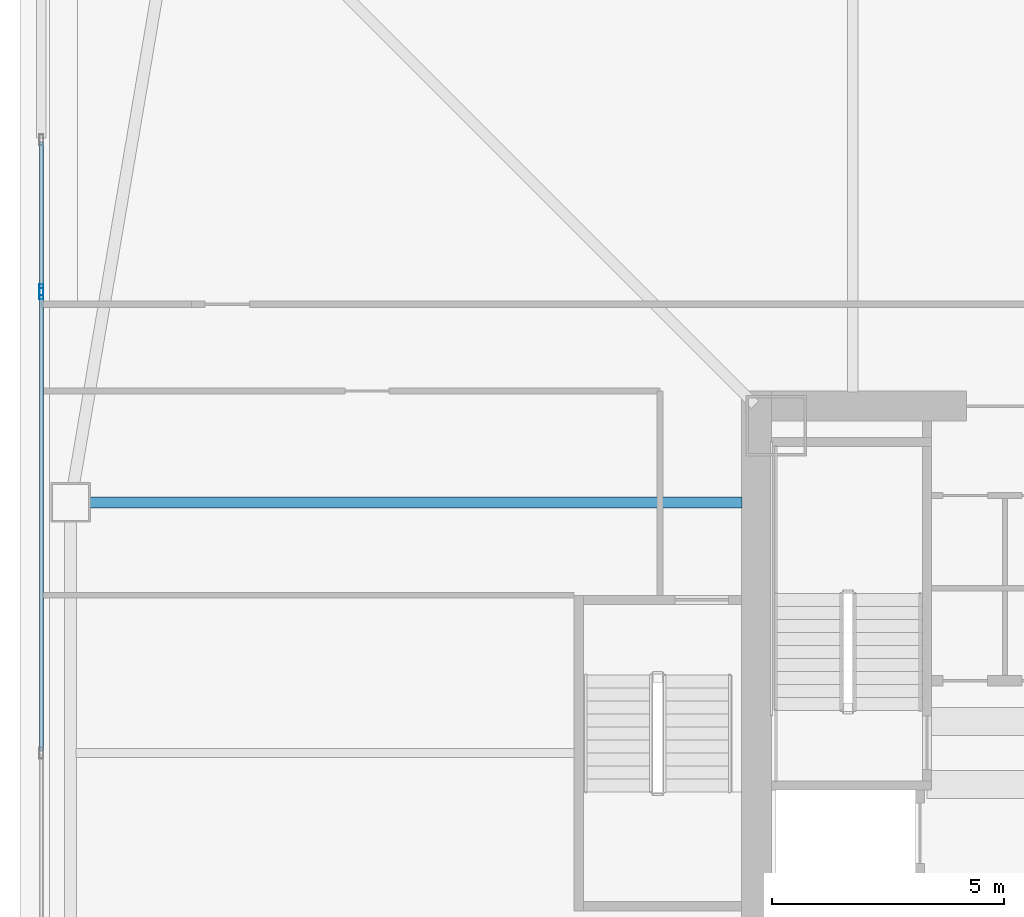
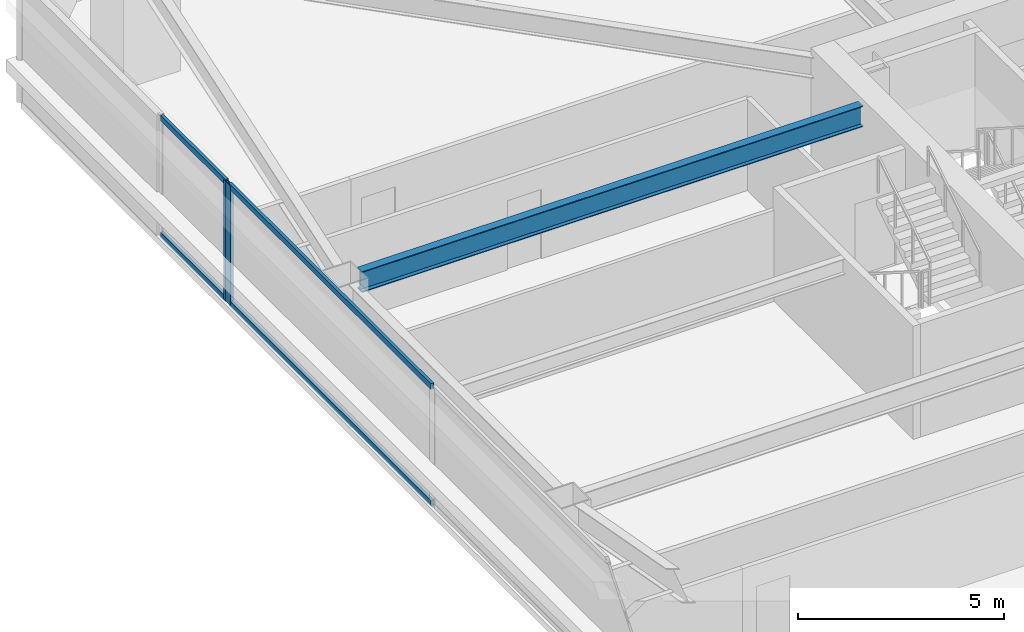
# One storey, part 12 of 46: 6 members, 1 beam, 2 elements without a shape of their own.
"""IFC4 building model written with IfcOpenShell, lengths in metres."""

import ifcopenshell
import ifcopenshell.guid

model = None  # the IFC model being written
_history = None  # IfcOwnerHistory: only IFC2X3 demands one
_inside = {}  # id of a spatial element -> (the spatial element, [elements in it])
_under = {}  # id of a project, library or spatial element -> (it, [spatial elements below it])
_declared = {}  # id of a project -> (the project, [libraries it declares])
_typed = {}  # id of a type object -> (the type object, [elements of that type])
_made_of = {}  # id of a material, layer set ... -> (it, [elements and type objects made of it])


def new_model(schema):
    """Start an empty IFC model of exactly this schema.

    Asked for "IFC4X3", IfcOpenShell would pick the latest addendum, in which some entities
    have other attributes; the version numbers below select the first issue.
    IFC2X3 requires an IfcOwnerHistory on every rooted entity: one is made here for all.
    """
    global model, _history
    if schema == "IFC4X3":
        model = ifcopenshell.file(schema_version=(4, 3, 0, 0))
    else:
        model = ifcopenshell.file(schema=schema)
    _inside.clear()
    _under.clear()
    _declared.clear()
    _typed.clear()
    _made_of.clear()
    _history = None
    if model.schema == "IFC2X3":
        org = make("IfcOrganization", Name="unknown")
        user = make(
            "IfcPersonAndOrganization",
            ThePerson=make("IfcPerson", FamilyName="unknown"),
            TheOrganization=org,
        )
        app = make(
            "IfcApplication",
            ApplicationDeveloper=org,
            Version="unknown",
            ApplicationFullName="unknown",
            ApplicationIdentifier="unknown",
        )
        _history = make(
            "IfcOwnerHistory",
            OwningUser=user,
            OwningApplication=app,
            ChangeAction="ADDED",
            CreationDate=0,
        )
    return model


def make(cls, **values):
    """One entity of the class cls with the attributes given. An attribute that is None is left unset."""
    return model.create_entity(
        cls, **{name: value for name, value in values.items() if value is not None}
    )


def rooted(cls, **values):
    """An entity with a GlobalId (a new one), such as an element, a storey or a relation."""
    return make(cls, GlobalId=ifcopenshell.guid.new(), OwnerHistory=_history, **values)


def si_unit(unit_type, name, prefix=None):
    """IfcSIUnit, for example si_unit("LENGTHUNIT", "METRE", prefix="MILLI")."""
    return make("IfcSIUnit", UnitType=unit_type, Prefix=prefix, Name=name)


def assignment(units):
    """IfcUnitAssignment: the units of a project."""
    return None if units is None else make("IfcUnitAssignment", Units=units)


def point(xyz):
    """IfcCartesianPoint."""
    return None if xyz is None else make("IfcCartesianPoint", Coordinates=xyz)


def direction(xyz):
    """IfcDirection."""
    return None if xyz is None else make("IfcDirection", DirectionRatios=xyz)


def frame(location, z_axis=None, x_axis=None):
    """IfcAxis2Placement3D, a coordinate frame: its origin and axes. An axis left out is left unset."""
    return make(
        "IfcAxis2Placement3D",
        Location=point(location),
        Axis=direction(z_axis),
        RefDirection=direction(x_axis),
    )


def frame_2d(location, x_axis=None):
    """IfcAxis2Placement2D, a coordinate frame in the plane: its origin and x axis."""
    return make(
        "IfcAxis2Placement2D", Location=point(location), RefDirection=direction(x_axis)
    )


def origin():
    """The frame at (0, 0, 0) with its axes left unset."""
    return frame((0.0, 0.0, 0.0))


def origin_2d():
    """The frame at (0, 0) in the plane with its x axis left unset."""
    return frame_2d((0.0, 0.0))


def place(relative_to, where):
    """IfcLocalPlacement: puts the frame where relative to a parent placement (None: the world)."""
    return make(
        "IfcLocalPlacement", PlacementRelTo=relative_to, RelativePlacement=where
    )


def context(
    kind, dimensions, precision=None, world=None, true_north=None, identifier=None
):
    """IfcGeometricRepresentationContext, for example the 3D "Model" context."""
    return make(
        "IfcGeometricRepresentationContext",
        ContextIdentifier=identifier,
        ContextType=kind,
        CoordinateSpaceDimension=dimensions,
        Precision=precision,
        WorldCoordinateSystem=world,
        TrueNorth=true_north,
    )


def subcontext(parent, identifier, kind, view, scale=None):
    """IfcGeometricRepresentationSubContext, for example "Body" below "Model"."""
    return make(
        "IfcGeometricRepresentationSubContext",
        ContextIdentifier=identifier,
        ContextType=kind,
        ParentContext=parent,
        TargetScale=scale,
        TargetView=view,
    )


def project(units=None, contexts=None):
    """IfcProject with its units and contexts."""
    return rooted(
        "IfcProject",
        Name="project",
        RepresentationContexts=contexts,
        UnitsInContext=assignment(units),
    )


def spatial(cls, under=None, at=None, **own):
    """A site, building, storey or space (cls), placed at a placement, below another one or the project."""
    s = rooted(cls, ObjectPlacement=at, **own)
    if under is not None:
        _under.setdefault(under.id(), (under, []))[1].append(s)
    return s


def profile(cls, at=None, kind="AREA", **sizes):
    """A parametric profile (cls). Its sizes go by their IFC names, for example OverallWidth=200.0."""
    return make(cls, ProfileType=kind, Position=at, **sizes)


def hollow_rectangle(**sizes):
    """IfcRectangleHollowProfileDef."""
    return profile("IfcRectangleHollowProfileDef", **sizes)


def i_section(**sizes):
    """IfcIShapeProfileDef."""
    return profile("IfcIShapeProfileDef", **sizes)


def extrude(swept, where, along, depth):
    """IfcExtrudedAreaSolid: the profile swept, set in the frame where, extruded along a direction by depth."""
    return make(
        "IfcExtrudedAreaSolid",
        SweptArea=swept,
        Position=where,
        ExtrudedDirection=direction(along),
        Depth=depth,
    )


def shape(context_of_items, identifier, shape_type, items):
    """IfcShapeRepresentation: the items that make up one representation, for example the "Body"."""
    return make(
        "IfcShapeRepresentation",
        ContextOfItems=context_of_items,
        RepresentationIdentifier=identifier,
        RepresentationType=shape_type,
        Items=items,
    )


def material(Name=None, Category=None):
    """IfcMaterial."""
    return make("IfcMaterial", Name=Name, Category=Category)


def material_profile(
    of_material, cross_section, Name=None, Category=None, Priority=None
):
    """IfcMaterialProfile: a cross section and its material."""
    return make(
        "IfcMaterialProfile",
        Name=Name,
        Material=of_material,
        Profile=cross_section,
        Priority=Priority,
        Category=Category,
    )


def profile_set(profiles, Name=None, composite=None):
    """IfcMaterialProfileSet."""
    return make(
        "IfcMaterialProfileSet",
        Name=Name,
        MaterialProfiles=profiles,
        CompositeProfile=composite,
    )


def made_of(thing, what):
    """Note that an element or type object is made of a material, layer set ...; save() writes the relation."""
    if what is not None:
        _made_of.setdefault(what.id(), (what, []))[1].append(thing)
    return thing


def type_object(cls, material=None, **own):
    """A type object (cls), such as IfcWallType, which elements share."""
    return made_of(rooted(cls, **own), material)


def element(
    cls,
    number,
    at=None,
    inside=None,
    cuts=None,
    type_object=None,
    material=None,
    context=None,
    identifier="Body",
    shape_type=None,
    held_by="IfcProductDefinitionShape",
    body=None,
    shapes=None,
    **own,
):
    """One element of the class cls, such as IfcWall. Its Tag is "e" and its number.

    at: its placement. inside: the storey or other place that contains it. cuts: it is an
    opening in that element (IfcRelVoidsElement). A single representation is given by context,
    identifier, shape_type and body (its items); several are given by shapes. held_by: the class
    of the entity that holds the representations. save() writes the other relations.
    """
    e = rooted(cls, Tag="e%d" % number, ObjectPlacement=at, **own)
    if body is not None:
        shapes = [shape(context, identifier, shape_type, body)]
    if shapes is not None:
        e.Representation = make(held_by, Representations=shapes)
    if inside is not None:
        _inside.setdefault(inside.id(), (inside, []))[1].append(e)
    if cuts is not None:
        rooted(
            "IfcRelVoidsElement", RelatingBuildingElement=cuts, RelatedOpeningElement=e
        )
    if type_object is not None:
        _typed.setdefault(type_object.id(), (type_object, []))[1].append(e)
    return made_of(e, material)


def aggregate(whole, parts):
    """IfcRelAggregates: a whole, such as a stair, and the parts it consists of."""
    return rooted("IfcRelAggregates", RelatingObject=whole, RelatedObjects=parts)


def save(model, path):
    """Write the relations noted so far, then the file.

    IfcRelAggregates (storeys below a building ...), IfcRelContainedInSpatialStructure (elements
    in a storey), IfcRelDefinesByType, IfcRelAssociatesMaterial and IfcRelDeclares: one each for
    every whole, place, type object, material and project.
    """
    for whole, parts in _under.values():
        aggregate(whole, parts)
    for where, things in _inside.values():
        rooted(
            "IfcRelContainedInSpatialStructure",
            RelatedElements=things,
            RelatingStructure=where,
        )
    for kind, things in _typed.values():
        rooted("IfcRelDefinesByType", RelatedObjects=things, RelatingType=kind)
    for what, things in _made_of.values():
        rooted("IfcRelAssociatesMaterial", RelatedObjects=things, RelatingMaterial=what)
    for by, libraries in _declared.values():
        rooted("IfcRelDeclares", RelatingContext=by, RelatedDefinitions=libraries)
    model.write(path)


model = new_model("IFC4")

# Units and contexts
model_context = context("Model", 3, precision=1e-05, world=origin(), true_north=direction((0.0, 1.0)))
body_context = subcontext(model_context, "Body", "Model", "MODEL_VIEW")
ifc_project = project(units=[si_unit("LENGTHUNIT", "METRE"), si_unit("AREAUNIT", "SQUARE_METRE"), si_unit("VOLUMEUNIT", "CUBIC_METRE"), si_unit("PLANEANGLEUNIT", "RADIAN"), si_unit("MASSUNIT", "GRAM", prefix="KILO")], contexts=[model_context])

# Site, building, storey
site_placement = place(None, origin())
site = spatial("IfcSite", under=ifc_project, at=site_placement, CompositionType="ELEMENT")
building_placement = place(site_placement, origin())
building = spatial("IfcBuilding", under=site, at=building_placement, Name="Tashvorn Skyway Center", CompositionType="ELEMENT")
storey_placement = place(building_placement, frame((0.0, 0.0, 60.10009765625)))
storey = spatial("IfcBuildingStorey", under=building, at=storey_placement, Name="L15", CompositionType="ELEMENT", Elevation=60.10009765625)

# Beam
ifc_material_1 = material(Name="Steel ASTM A992 Grade 50", Category="steel")
ifc_material_profile_1 = material_profile(ifc_material_1, i_section(OverallWidth=0.22998046875, OverallDepth=0.616943359375, WebThickness=0.01318359375, FlangeThickness=0.022216796875, at=origin_2d()), Name="W24X94")
ifc_profile_set_1 = profile_set([ifc_material_profile_1], Name="Steel ASTM A992 Grade 50")
beam_type = type_object("IfcBeamType", Name="BM-BEAM-W24X94", PredefinedType="BEAM", material=ifc_profile_set_1)
beam_placement = place(storey_placement, frame((20.169921875, 37.39990234375, 3.04150390625), z_axis=(1.0, 0.0, 0.0), x_axis=(0.0, 1.0, 0.0)))
element("IfcBeam", 1, at=beam_placement, inside=storey, type_object=beam_type, Name="Tower 1 L15 Primary Floor Girder FC-W1", PredefinedType="BEAM", context=body_context, shape_type="SweptSolid", body=[
    extrude(i_section(OverallWidth=0.22998046875, OverallDepth=0.616943359375, WebThickness=0.01318359375, FlangeThickness=0.022216796875, at=origin_2d()), origin(), (0.0, 0.0, 1.0), 14.050048828125),
])

# Curtain wall, member
ifc_material_2 = material(Name="Thermally broken bronze-anodized aluminium 6063-T6", Category="aluminium")
curtain_wall_type = type_object("IfcCurtainWallType", Name="CW-CW-Z1", PredefinedType="NOTDEFINED", material=ifc_material_2)
curtain_wall_1_placement = place(storey_placement, origin())
curtain_wall_1 = element("IfcCurtainWall", 2, at=curtain_wall_1_placement, inside=storey, type_object=curtain_wall_type, Name="Tower 1 L15 West Unitised Curtain Wall Glazing Group 2", PredefinedType="NOTDEFINED")
ifc_material_profile_2 = material_profile(ifc_material_2, hollow_rectangle(XDim=0.0849609375, YDim=0.239990234375, WallThickness=0.0048828125, at=origin_2d()), Name="ALU-MULL-85x240")
ifc_profile_set_2 = profile_set([ifc_material_profile_2], Name="Thermally broken bronze-anodized aluminium 6063-T6")
member_type_1 = type_object("IfcMemberType", Name="CWM-CW-Z1", PredefinedType="MULLION", material=ifc_profile_set_2)
member_1_placement = place(storey_placement, frame((19.1201171875, 41.8974609375, 0.0), z_axis=(0.0, 0.0, 1.0), x_axis=(-1.0, 0.0, 0.0)))
member_1 = element("IfcMember", 3, at=member_1_placement, type_object=member_type_1, Name="CW-Z1 mullion 3", PredefinedType="MULLION", context=body_context, shape_type="SweptSolid", body=[
    extrude(hollow_rectangle(XDim=0.0849609375, YDim=0.239990234375, WallThickness=0.0048828125, at=origin_2d()), origin(), (0.0, 0.0, 1.0), 3.5498046875),
])

curtain_wall_2_placement = place(storey_placement, origin())
curtain_wall_2 = element("IfcCurtainWall", 4, at=curtain_wall_2_placement, inside=storey, type_object=curtain_wall_type, Name="Tower 1 L15 West Unitised Curtain Wall Glazing Group 3", PredefinedType="NOTDEFINED")
member_2_placement = place(storey_placement, frame((19.1201171875, 41.982421875, 0.0), z_axis=(0.0, 0.0, 1.0), x_axis=(-1.0, 0.0, 0.0)))
member_2 = element("IfcMember", 5, at=member_2_placement, type_object=member_type_1, Name="CW-Z1 mullion 1", PredefinedType="MULLION", context=body_context, shape_type="SweptSolid", body=[
    extrude(hollow_rectangle(XDim=0.0849609375, YDim=0.239990234375, WallThickness=0.0048828125, at=origin_2d()), origin(), (0.0, 0.0, 1.0), 3.5498046875),
])

# Member
ifc_material_profile_3 = material_profile(ifc_material_2, hollow_rectangle(XDim=0.0849609375, YDim=0.1650390625, WallThickness=0.0048828125, at=origin_2d()), Name="ALU-TRAN-85x165")
ifc_profile_set_3 = profile_set([ifc_material_profile_3], Name="Thermally broken bronze-anodized aluminium 6063-T6")
member_type_2 = type_object("IfcMemberType", Name="CWT-CW-Z1", PredefinedType="USERDEFINED", material=ifc_profile_set_3)
member_3_placement = place(storey_placement, frame((19.1201171875, 32.04248046875, 0.04248046875), z_axis=(0.0, 1.0, 0.0), x_axis=(-1.0, 0.0, 0.0)))
member_3 = element("IfcMember", 6, at=member_3_placement, type_object=member_type_2, Name="CW-Z1 transom 2.1", ObjectType="TRANSOM", PredefinedType="USERDEFINED", context=body_context, shape_type="SweptSolid", body=[
    extrude(hollow_rectangle(XDim=0.0849609375, YDim=0.1650390625, WallThickness=0.0048828125, at=origin_2d()), origin(), (0.0, 0.0, 1.0), 9.8125),
])

member_4_placement = place(storey_placement, frame((19.1201171875, 32.04248046875, 3.50732421875), z_axis=(0.0, 1.0, 0.0), x_axis=(-1.0, 0.0, 0.0)))
member_4 = element("IfcMember", 7, at=member_4_placement, type_object=member_type_2, Name="CW-Z1 transom 2.2", ObjectType="TRANSOM", PredefinedType="USERDEFINED", context=body_context, shape_type="SweptSolid", body=[
    extrude(hollow_rectangle(XDim=0.0849609375, YDim=0.1650390625, WallThickness=0.0048828125, at=origin_2d()), origin(), (0.0, 0.0, 1.0), 9.8125),
])

aggregate(curtain_wall_1, [member_1, member_3, member_4])

member_5_placement = place(storey_placement, frame((19.1201171875, 42.02490234375, 0.04248046875), z_axis=(0.0, 1.0, 0.0), x_axis=(-1.0, 0.0, 0.0)))
member_5 = element("IfcMember", 8, at=member_5_placement, type_object=member_type_2, Name="CW-Z1 transom 1.1", ObjectType="TRANSOM", PredefinedType="USERDEFINED", context=body_context, shape_type="SweptSolid", body=[
    extrude(hollow_rectangle(XDim=0.0849609375, YDim=0.1650390625, WallThickness=0.0048828125, at=origin_2d()), origin(), (0.0, 0.0, 1.0), 3.143310546875),
])

member_6_placement = place(storey_placement, frame((19.1201171875, 42.02490234375, 3.50732421875), z_axis=(0.0, 1.0, 0.0), x_axis=(-1.0, 0.0, 0.0)))
member_6 = element("IfcMember", 9, at=member_6_placement, type_object=member_type_2, Name="CW-Z1 transom 1.2", ObjectType="TRANSOM", PredefinedType="USERDEFINED", context=body_context, shape_type="SweptSolid", body=[
    extrude(hollow_rectangle(XDim=0.0849609375, YDim=0.1650390625, WallThickness=0.0048828125, at=origin_2d()), origin(), (0.0, 0.0, 1.0), 3.143310546875),
])

aggregate(curtain_wall_2, [member_2, member_5, member_6])

save(model, "model.ifc")
